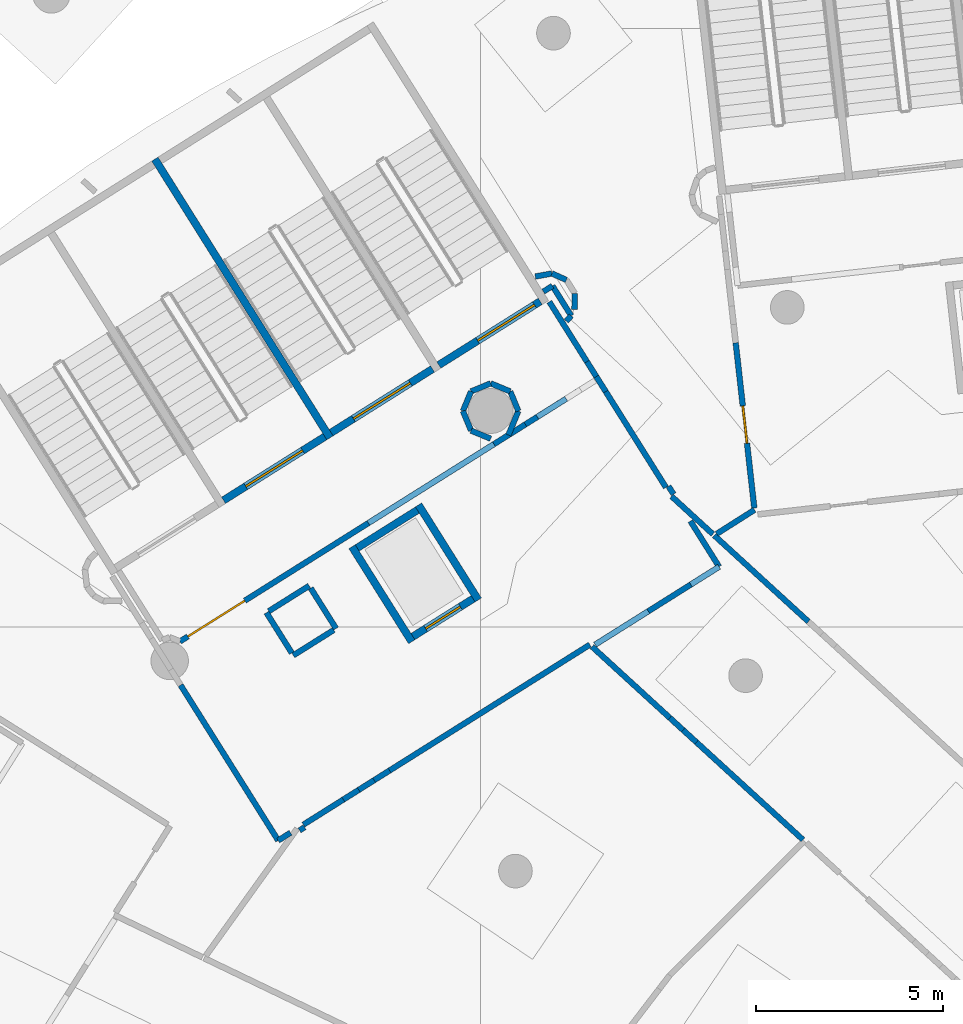
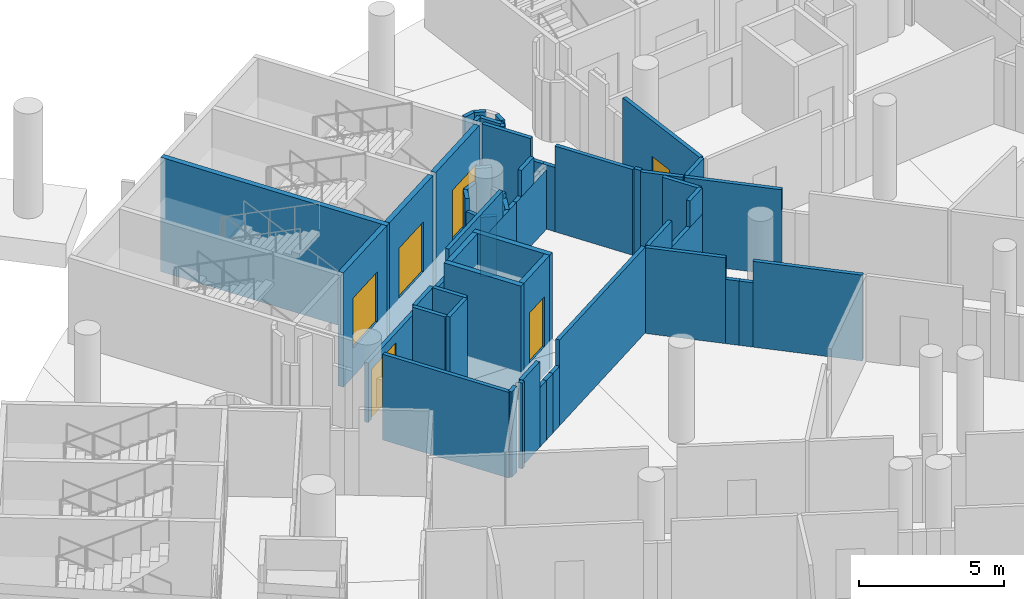
# One storey, part 76 of 142: 54 walls, 6 doors, 6 openings.
"""IFC4 building model written with IfcOpenShell, lengths in metres."""

from ifc_helpers import new_model, si_unit, direction, frame, frame_2d, origin, place, context, subcontext, project, spatial, rectangle, extrude, material, layer, layer_set, type_object, element, fill, save


model = new_model("IFC4")

# Units and contexts
model_context = context("Model", 3, precision=1e-05, world=origin(), true_north=direction((0.0, 1.0)))
body_context = subcontext(model_context, "Body", "Model", "MODEL_VIEW")
ifc_project = project(units=[si_unit("LENGTHUNIT", "METRE"), si_unit("AREAUNIT", "SQUARE_METRE"), si_unit("VOLUMEUNIT", "CUBIC_METRE"), si_unit("PLANEANGLEUNIT", "RADIAN"), si_unit("MASSUNIT", "GRAM", prefix="KILO")], contexts=[model_context])

# Site, building, storey
site_placement = place(None, origin())
site = spatial("IfcSite", under=ifc_project, at=site_placement, CompositionType="ELEMENT")
building_placement = place(site_placement, origin())
building = spatial("IfcBuilding", under=site, at=building_placement, Name="Meseta Stadium", CompositionType="ELEMENT")
storey_placement = place(building_placement, frame((0.0, 0.0, -4.0)))
storey = spatial("IfcBuildingStorey", under=building, at=storey_placement, Name="B1", CompositionType="ELEMENT", Elevation=-4.0)

# Wall
ifc_material_1 = material(Name="Concrete C40/50", Category="concrete")
ifc_layer_1 = layer(ifc_material_1, 0.199951171875)
ifc_layer_set_1 = layer_set([ifc_layer_1], Name="Core shaft wall 200")
wall_type_1 = type_object("IfcWallType", Name="Core shaft wall 200", PredefinedType="SHEAR", material=ifc_layer_set_1)
wall_1_placement = place(storey_placement, frame((-72.7080078125, 92.505615234375, -1.199951171875), z_axis=(0.0, 0.0, 1.0), x_axis=(0.532032334759, -0.846724036963, 0.0)))
element("IfcWall", 1, at=wall_1_placement, inside=storey, type_object=wall_type_1, Name="Core 13 B1 stair wall shared", PredefinedType="SHEAR", context=body_context, shape_type="SweptSolid", body=[
    extrude(rectangle(XDim=8.800048828125, YDim=0.199951171875, at=frame_2d((4.39990234375, 0.0))), origin(), (0.0, 0.0, 1.0), 4.800048828125),
])

# Wall, opening, door
wall_2_placement = place(storey_placement, frame((-62.40625, 88.70361328125, -1.199951171875), z_axis=(0.0, 0.0, 1.0), x_axis=(-0.846735733015, -0.532013720158, 0.0)))
wall_2 = element("IfcWall", 2, at=wall_2_placement, inside=storey, type_object=wall_type_1, Name="Core 13 B1 stair A1 inner end wall", PredefinedType="SHEAR", context=body_context, shape_type="SweptSolid", body=[
    extrude(rectangle(XDim=3.199951171875, YDim=0.199951171875, at=frame_2d((1.60009765625, 0.0))), origin(), (0.0, 0.0, 1.0), 4.800048828125),
])
opening_1_placement = place(wall_2_placement, frame((0.177978515625, 0.0, 1.199951171875)))
opening_1 = element("IfcOpeningElement", 3, at=opening_1_placement, cuts=wall_2, Name="Opening D175", PredefinedType="OPENING", context=body_context, shape_type="SweptSolid", body=[
    extrude(rectangle(XDim=1.800048828125, YDim=2.10009765625, at=frame_2d((0.89990234375, 1.050048828125))), frame((0.0, 0.10986328125, 0.0), z_axis=(0.0, -1.0, 0.0), x_axis=(1.0, 0.0, 0.0)), (0.0, 0.0, 1.0), 0.219970703125),
])
ifc_material_2 = material(Name="Steel", Category="steel")
door_type_1 = type_object("IfcDoorType", Name="Stair door 1800x2100", OperationType="DOUBLE_DOOR_SINGLE_SWING", PredefinedType="DOOR", material=ifc_material_2)
door_1_placement = place(opening_1_placement, origin())
door_1 = element("IfcDoor", 4, at=door_1_placement, inside=storey, type_object=door_type_1, Name="Stair A1 door 13 B1", OperationType="DOUBLE_DOOR_SINGLE_SWING", OverallHeight=2.10009765625, OverallWidth=1.800048828125, PredefinedType="DOOR", context=body_context, shape_type="SweptSolid", body=[
    extrude(rectangle(XDim=1.800048828125, YDim=2.10009765625, at=frame_2d((0.89990234375, 1.050048828125))), frame((0.0, 0.02490234375, 0.0), z_axis=(0.0, -1.0, 0.0), x_axis=(1.0, 0.0, 0.0)), (0.0, 0.0, 1.0), 0.050048828125),
])
fill(opening_1, door_1)

wall_3_placement = place(storey_placement, frame((-65.28515625, 86.894775390625, -1.199951171875), z_axis=(0.0, 0.0, 1.0), x_axis=(-0.846735733015, -0.532013720158, 0.0)))
wall_3 = element("IfcWall", 5, at=wall_3_placement, inside=storey, type_object=wall_type_1, Name="Core 13 B1 stair A2 inner end wall", PredefinedType="SHEAR", context=body_context, shape_type="SweptSolid", body=[
    extrude(rectangle(XDim=3.199951171875, YDim=0.199951171875, at=frame_2d((1.60009765625, 0.0))), origin(), (0.0, 0.0, 1.0), 4.800048828125),
])
opening_2_placement = place(wall_3_placement, frame((0.699951171875, 0.0, 1.199951171875)))
opening_2 = element("IfcOpeningElement", 6, at=opening_2_placement, cuts=wall_3, Name="Opening D176", PredefinedType="OPENING", context=body_context, shape_type="SweptSolid", body=[
    extrude(rectangle(XDim=1.800048828125, YDim=2.10009765625, at=frame_2d((0.89990234375, 1.050048828125))), frame((0.0, 0.10986328125, 0.0), z_axis=(0.0, -1.0, 0.0), x_axis=(1.0, 0.0, 0.0)), (0.0, 0.0, 1.0), 0.219970703125),
])
door_2_placement = place(opening_2_placement, origin())
door_2 = element("IfcDoor", 7, at=door_2_placement, inside=storey, type_object=door_type_1, Name="Stair A2 door 13 B1", OperationType="DOUBLE_DOOR_SINGLE_SWING", OverallHeight=2.10009765625, OverallWidth=1.800048828125, PredefinedType="DOOR", context=body_context, shape_type="SweptSolid", body=[
    extrude(rectangle(XDim=1.800048828125, YDim=2.10009765625, at=frame_2d((0.89990234375, 1.050048828125))), frame((0.0, 0.02490234375, 0.0), z_axis=(0.0, -1.0, 0.0), x_axis=(1.0, 0.0, 0.0)), (0.0, 0.0, 1.0), 0.050048828125),
])
fill(opening_2, door_2)

wall_4_placement = place(storey_placement, frame((-68.1640625, 85.0859375, -1.199951171875), z_axis=(0.0, 0.0, 1.0), x_axis=(-0.84670136309, -0.53206841829, 0.0)))
wall_4 = element("IfcWall", 8, at=wall_4_placement, inside=storey, type_object=wall_type_1, Name="Core 13 B1 stair B1 inner end wall", PredefinedType="SHEAR", context=body_context, shape_type="SweptSolid", body=[
    extrude(rectangle(XDim=3.199951171875, YDim=0.199951171875, at=frame_2d((1.60009765625, 0.0))), origin(), (0.0, 0.0, 1.0), 4.800048828125),
])
opening_3_placement = place(wall_4_placement, frame((0.699951171875, 0.0, 1.199951171875)))
opening_3 = element("IfcOpeningElement", 9, at=opening_3_placement, cuts=wall_4, Name="Opening D177", PredefinedType="OPENING", context=body_context, shape_type="SweptSolid", body=[
    extrude(rectangle(XDim=1.800048828125, YDim=2.10009765625, at=frame_2d((0.89990234375, 1.050048828125))), frame((0.0, 0.10986328125, 0.0), z_axis=(0.0, -1.0, 0.0), x_axis=(1.0, 0.0, 0.0)), (0.0, 0.0, 1.0), 0.219970703125),
])
door_3_placement = place(opening_3_placement, origin())
door_3 = element("IfcDoor", 10, at=door_3_placement, inside=storey, type_object=door_type_1, Name="Stair B1 door 13 B1", OperationType="DOUBLE_DOOR_SINGLE_SWING", OverallHeight=2.10009765625, OverallWidth=1.800048828125, PredefinedType="DOOR", context=body_context, shape_type="SweptSolid", body=[
    extrude(rectangle(XDim=1.800048828125, YDim=2.10009765625, at=frame_2d((0.89990234375, 1.050048828125))), frame((0.0, 0.02490234375, 0.0), z_axis=(0.0, -1.0, 0.0), x_axis=(1.0, 0.0, 0.0)), (0.0, 0.0, 1.0), 0.050048828125),
])
fill(opening_3, door_3)

# Walls
wall_5_placement = place(storey_placement, frame((-65.658935546875, 83.260498046875, -1.199951171875), z_axis=(0.0, 0.0, 1.0), x_axis=(0.532074873955, -0.846697306306, 0.0)))
element("IfcWall", 11, at=wall_5_placement, inside=storey, type_object=wall_type_1, Name="Core 13 B1 lift shaft wall left", PredefinedType="SHEAR", context=body_context, shape_type="SweptSolid", body=[
    extrude(rectangle(XDim=3.0, YDim=0.199951171875, at=frame_2d((1.5, 0.0))), origin(), (0.0, 0.0, 1.0), 4.800048828125),
])
wall_6_placement = place(storey_placement, frame((-67.43701171875, 82.143310546875, -1.199951171875), z_axis=(0.0, 0.0, 1.0), x_axis=(0.532038212918, -0.84672034344, 0.0)))
element("IfcWall", 12, at=wall_6_placement, inside=storey, type_object=wall_type_1, Name="Core 13 B1 lift shaft wall right", PredefinedType="SHEAR", context=body_context, shape_type="SweptSolid", body=[
    extrude(rectangle(XDim=3.000244140625, YDim=0.199951171875, at=frame_2d((1.5, 0.0))), origin(), (0.0, 0.0, 1.0), 4.800048828125),
])
wall_7_placement = place(storey_placement, frame((-65.6904296875, 83.122802734375, -1.199951171875), z_axis=(0.0, 0.0, 1.0), x_axis=(-0.846674592738, -0.532111016623, 0.0)))
element("IfcWall", 13, at=wall_7_placement, inside=storey, type_object=wall_type_1, Name="Core 13 B1 lift shaft back wall", PredefinedType="SHEAR", context=body_context, shape_type="SweptSolid", body=[
    extrude(rectangle(XDim=1.89990234375, YDim=0.199951171875, at=frame_2d((0.949951171875, 0.0))), origin(), (0.0, 0.0, 1.0), 4.800048828125),
])

# Wall, opening, door
wall_8_placement = place(storey_placement, frame((-64.20068359375, 80.751708984375, -1.199951171875), z_axis=(0.0, 0.0, 1.0), x_axis=(-0.846768850524, -0.531961007765, 0.0)))
wall_8 = element("IfcWall", 14, at=wall_8_placement, inside=storey, type_object=wall_type_1, Name="Core 13 B1 lift shaft front wall", PredefinedType="SHEAR", context=body_context, shape_type="SweptSolid", body=[
    extrude(rectangle(XDim=1.900146484375, YDim=0.199951171875, at=frame_2d((0.9501953125, 0.0))), origin(), (0.0, 0.0, 1.0), 4.800048828125),
])
opening_4_placement = place(wall_8_placement, frame((0.39990234375, 0.0, 1.199951171875)))
opening_4 = element("IfcOpeningElement", 15, at=opening_4_placement, cuts=wall_8, Name="Opening LD68", PredefinedType="OPENING", context=body_context, shape_type="SweptSolid", body=[
    extrude(rectangle(XDim=1.10009765625, YDim=2.10009765625, at=frame_2d((0.550048828125, 1.050048828125))), frame((0.0, 0.10986328125, 0.0), z_axis=(0.0, -1.0, 0.0), x_axis=(1.0, 0.0, 0.0)), (0.0, 0.0, 1.0), 0.219970703125),
])
ifc_material_3 = material(Name="Steel", Category="steel")
door_type_2 = type_object("IfcDoorType", Name="Lift landing door 1100x2100", OperationType="SLIDING_TO_LEFT", PredefinedType="DOOR", material=ifc_material_3)
door_4_placement = place(opening_4_placement, origin())
door_4 = element("IfcDoor", 16, at=door_4_placement, inside=storey, type_object=door_type_2, Name="Lift landing door LD68", OperationType="SLIDING_TO_RIGHT", OverallHeight=2.10009765625, OverallWidth=1.10009765625, PredefinedType="DOOR", context=body_context, shape_type="SweptSolid", body=[
    extrude(rectangle(XDim=1.10009765625, YDim=2.10009765625, at=frame_2d((0.550048828125, 1.050048828125))), frame((0.0, 0.02490234375, 0.0), z_axis=(0.0, -1.0, 0.0), x_axis=(1.0, 0.0, 0.0)), (0.0, 0.0, 1.0), 0.050048828125),
])
fill(opening_4, door_4)

# Walls
ifc_material_4 = material(Name="Masonry blockwork", Category="masonry")
ifc_layer_2 = layer(ifc_material_4, 0.14990234375)
ifc_layer_set_2 = layer_set([ifc_layer_2], Name="Partition 150")
wall_type_2 = type_object("IfcWallType", Name="Partition 150", PredefinedType="PARTITIONING", material=ifc_layer_set_2)
wall_9_placement = place(storey_placement, frame((-55.23583984375, 80.14111328125, 0.0), z_axis=(0.0, 0.0, 1.0), x_axis=(-0.737605282211, 0.675232143529, 0.0)))
element("IfcWall", 17, at=wall_9_placement, inside=storey, type_object=wall_type_2, Name="Partition B1 B1-cell11-2-0", PredefinedType="PARTITIONING", context=body_context, shape_type="SweptSolid", body=[
    extrude(rectangle(XDim=3.4130859375, YDim=0.14990234375, at=frame_2d((1.70654296875, 0.0))), origin(), (0.0, 0.0, 1.0), 3.60009765625),
])
wall_10_placement = place(storey_placement, frame((-57.687744140625, 82.4873046875, 0.0), z_axis=(0.0, 0.0, 1.0), x_axis=(0.844198175742, 0.536031193192, 0.0)))
element("IfcWall", 18, at=wall_10_placement, inside=storey, type_object=wall_type_2, Name="Partition B1 B1-cell11-2-0", PredefinedType="PARTITIONING", context=body_context, shape_type="SweptSolid", body=[
    extrude(rectangle(XDim=1.19775390625, YDim=0.14990234375, at=frame_2d((0.598876953125, 0.0))), origin(), (0.0, 0.0, 1.0), 3.60009765625),
])
wall_11_placement = place(storey_placement, frame((-57.790283203125, 82.4794921875, 0.0), z_axis=(0.0, 0.0, 1.0), x_axis=(-0.737580634044, 0.675259067531, 0.0)))
element("IfcWall", 19, at=wall_11_placement, inside=storey, type_object=wall_type_2, Name="Partition B1 B1-cell11-3-0", PredefinedType="PARTITIONING", context=body_context, shape_type="SweptSolid", body=[
    extrude(rectangle(XDim=1.496337890625, YDim=0.14990234375, at=frame_2d((0.748046875, 0.0))), origin(), (0.0, 0.0, 1.0), 3.60009765625),
])
wall_12_placement = place(storey_placement, frame((-59.04443359375, 83.7294921875, 0.0), z_axis=(0.0, 0.0, 1.0), x_axis=(-0.532093859438, 0.846685375301, 0.0)))
element("IfcWall", 20, at=wall_12_placement, inside=storey, type_object=wall_type_2, Name="Partition B1 B1-cell11-3-0", PredefinedType="PARTITIONING", context=body_context, shape_type="SweptSolid", body=[
    extrude(rectangle(XDim=3.025146484375, YDim=0.14990234375, at=frame_2d((1.5126953125, 0.0))), origin(), (0.0, 0.0, 1.0), 3.60009765625),
])
wall_13_placement = place(storey_placement, frame((-60.654052734375, 86.290771484375, 0.0), z_axis=(0.0, 0.0, 1.0), x_axis=(-0.532086905354, 0.84668974551, 0.0)))
element("IfcWall", 21, at=wall_13_placement, inside=storey, type_object=wall_type_2, Name="Partition B1 B1-cell11-3-0", PredefinedType="PARTITIONING", context=body_context, shape_type="SweptSolid", body=[
    extrude(rectangle(XDim=0.47265625, YDim=0.14990234375, at=frame_2d((0.236328125, 0.0))), origin(), (0.0, 0.0, 1.0), 2.699951171875),
])
wall_14_placement = place(storey_placement, frame((-60.905517578125, 86.69091796875, 0.0), z_axis=(0.0, 0.0, 1.0), x_axis=(-0.531716418335, 0.846922458359, 0.0)))
element("IfcWall", 22, at=wall_14_placement, inside=storey, type_object=wall_type_2, Name="Partition B1 B1-cell11-3-0", PredefinedType="PARTITIONING", context=body_context, shape_type="SweptSolid", body=[
    extrude(rectangle(XDim=0.472412109375, YDim=0.14990234375, at=frame_2d((0.236328125, 0.0))), origin(), (0.0, 0.0, 1.0), 2.699951171875),
])
wall_15_placement = place(storey_placement, frame((-61.15673828125, 87.091064453125, 0.0), z_axis=(0.0, 0.0, 1.0), x_axis=(-0.532052497691, 0.84671136741, 0.0)))
element("IfcWall", 23, at=wall_15_placement, inside=storey, type_object=wall_type_2, Name="Partition B1 B1-cell11-3-0", PredefinedType="PARTITIONING", context=body_context, shape_type="SweptSolid", body=[
    extrude(rectangle(XDim=1.89013671875, YDim=0.14990234375, at=frame_2d((0.945068359375, 0.0))), origin(), (0.0, 0.0, 1.0), 3.60009765625),
])

# Wall, opening, door
wall_16_placement = place(storey_placement, frame((-57.1796875, 87.5947265625, 0.0), z_axis=(0.0, 0.0, 1.0), x_axis=(0.112023313707, -0.993705578723, 0.0)))
wall_16 = element("IfcWall", 24, at=wall_16_placement, inside=storey, type_object=wall_type_2, Name="Partition B1 B1-cell11-3-0", PredefinedType="PARTITIONING", context=body_context, shape_type="SweptSolid", body=[
    extrude(rectangle(XDim=4.44384765625, YDim=0.14990234375, at=frame_2d((2.221923828125, 0.0))), origin(), (0.0, 0.0, 1.0), 3.60009765625),
])
opening_5_placement = place(wall_16_placement, frame((1.699951171875, 0.0, 0.0)))
opening_5 = element("IfcOpeningElement", 25, at=opening_5_placement, cuts=wall_16, Name="Opening D466", PredefinedType="OPENING", context=body_context, shape_type="SweptSolid", body=[
    extrude(rectangle(XDim=1.0, YDim=2.10009765625, at=frame_2d((0.5, 1.050048828125))), frame((0.0, 0.0849609375, 0.0), z_axis=(0.0, -1.0, 0.0), x_axis=(1.0, 0.0, 0.0)), (0.0, 0.0, 1.0), 0.169921875),
])
ifc_material_5 = material(Name="Steel", Category="steel")
door_type_3 = type_object("IfcDoorType", Name="Fire door 1000x2100 EI2 60", OperationType="NOTDEFINED", PredefinedType="DOOR", material=ifc_material_5)
door_5_placement = place(opening_5_placement, origin())
door_5 = element("IfcDoor", 26, at=door_5_placement, inside=storey, type_object=door_type_3, Name="Door D466", OperationType="SINGLE_SWING_RIGHT", OverallHeight=2.10009765625, OverallWidth=1.0, PredefinedType="DOOR", context=body_context, shape_type="SweptSolid", body=[
    extrude(rectangle(XDim=1.0, YDim=2.10009765625, at=frame_2d((0.5, 1.050048828125))), frame((0.0, 0.02490234375, 0.0), z_axis=(0.0, -1.0, 0.0), x_axis=(1.0, 0.0, 0.0)), (0.0, 0.0, 1.0), 0.050048828125),
])
fill(opening_5, door_5)

# Walls
wall_17_placement = place(storey_placement, frame((-68.737060546875, 74.712646484375, 0.0), z_axis=(0.0, 0.0, 1.0), x_axis=(0.846733767691, 0.53201684809, 0.0)))
element("IfcWall", 27, at=wall_17_placement, inside=storey, type_object=wall_type_2, Name="Partition B1 B1-cell12-2-0", PredefinedType="PARTITIONING", context=body_context, shape_type="SweptSolid", body=[
    extrude(rectangle(XDim=1.260498046875, YDim=0.14990234375, at=frame_2d((0.63037109375, 0.0))), origin(), (0.0, 0.0, 1.0), 3.60009765625),
])
for number, where, z_axis, x_axis, name in (
    (28, (-67.669677734375, 75.38330078125, 0.0), (0.0, 0.0, 1.0), (0.846868970519, 0.53180160471, 0.0), "Partition B1 B1-cell12-2-0"),
    (29, (-67.257568359375, 75.64208984375, 0.0), (0.0, 0.0, 1.0), (0.846500874068, 0.532387330993, 0.0), "Partition B1 B1-cell12-2-0"),
):
    element("IfcWall", number, at=place(storey_placement, frame(where, z_axis=z_axis, x_axis=x_axis)), inside=storey, type_object=wall_type_2, Name=name, PredefinedType="PARTITIONING", context=body_context, shape_type="SweptSolid", body=[
        extrude(rectangle(XDim=0.486572265625, YDim=0.14990234375, at=frame_2d((0.2431640625, 0.0))), origin(), (0.0, 0.0, 1.0), 2.5),
    ])
wall_18_placement = place(storey_placement, frame((-66.845703125, 75.901123046875, 0.0), z_axis=(0.0, 0.0, 1.0), x_axis=(0.846726992897, 0.532027630392, 0.0)))
element("IfcWall", 30, at=wall_18_placement, inside=storey, type_object=wall_type_2, Name="Partition B1 B1-cell12-2-0", PredefinedType="PARTITIONING", context=body_context, shape_type="SweptSolid", body=[
    extrude(rectangle(XDim=0.486328125, YDim=0.14990234375, at=frame_2d((0.2431640625, 0.0))), origin(), (0.0, 0.0, 1.0), 2.5),
])
wall_19_placement = place(storey_placement, frame((-66.433837890625, 76.159912109375, 0.0), z_axis=(0.0, 0.0, 1.0), x_axis=(0.846724993081, 0.532030813105, 0.0)))
element("IfcWall", 31, at=wall_19_placement, inside=storey, type_object=wall_type_2, Name="Partition B1 B1-cell12-2-0", PredefinedType="PARTITIONING", context=body_context, shape_type="SweptSolid", body=[
    extrude(rectangle(XDim=6.324462890625, YDim=0.14990234375, at=frame_2d((3.162109375, 0.0))), origin(), (0.0, 0.0, 1.0), 3.60009765625),
])
wall_20_placement = place(storey_placement, frame((-61.021484375, 79.47216796875, 0.0), z_axis=(0.0, 0.0, 1.0), x_axis=(0.737642932996, -0.67519101253, 0.0)))
element("IfcWall", 32, at=wall_20_placement, inside=storey, type_object=wall_type_2, Name="Partition B1 B1-cell12-2-0", PredefinedType="PARTITIONING", context=body_context, shape_type="SweptSolid", body=[
    extrude(rectangle(XDim=2.818603515625, YDim=0.14990234375, at=frame_2d((1.4091796875, 0.0))), origin(), (0.0, 0.0, 1.0), 3.60009765625),
])
wall_21_placement = place(storey_placement, frame((-58.9423828125, 77.569091796875, 0.0), z_axis=(0.0, 0.0, 1.0), x_axis=(0.737531982112, -0.675312205844, 0.0)))
element("IfcWall", 33, at=wall_21_placement, inside=storey, type_object=wall_type_2, Name="Partition B1 B1-cell12-2-0", PredefinedType="PARTITIONING", context=body_context, shape_type="SweptSolid", body=[
    extrude(rectangle(XDim=0.482666015625, YDim=0.14990234375, at=frame_2d((0.2412109375, 0.0))), origin(), (0.0, 0.0, 1.0), 2.699951171875),
])
wall_22_placement = place(storey_placement, frame((-58.58642578125, 77.2431640625, 0.0), z_axis=(0.0, 0.0, 1.0), x_axis=(0.737762545062, -0.675060313679, 0.0)))
element("IfcWall", 34, at=wall_22_placement, inside=storey, type_object=wall_type_2, Name="Partition B1 B1-cell12-2-0", PredefinedType="PARTITIONING", context=body_context, shape_type="SweptSolid", body=[
    extrude(rectangle(XDim=0.48291015625, YDim=0.14990234375, at=frame_2d((0.241455078125, 0.0))), origin(), (0.0, 0.0, 1.0), 2.699951171875),
])
wall_23_placement = place(storey_placement, frame((-58.230224609375, 76.917236328125, 0.0), z_axis=(0.0, 0.0, 1.0), x_axis=(0.737586985775, -0.675252129516, 0.0)))
element("IfcWall", 35, at=wall_23_placement, inside=storey, type_object=wall_type_2, Name="Partition B1 B1-cell12-2-0", PredefinedType="PARTITIONING", context=body_context, shape_type="SweptSolid", body=[
    extrude(rectangle(XDim=3.86181640625, YDim=0.14990234375, at=frame_2d((1.930908203125, 0.0))), origin(), (0.0, 0.0, 1.0), 3.60009765625),
])
wall_24_placement = place(storey_placement, frame((-72.0205078125, 78.4423828125, 0.0), z_axis=(0.0, 0.0, 1.0), x_axis=(0.532042078101, -0.846717914733, 0.0)))
element("IfcWall", 36, at=wall_24_placement, inside=storey, type_object=wall_type_2, Name="Partition B1 B1-cell12-3-0", PredefinedType="PARTITIONING", context=body_context, shape_type="SweptSolid", body=[
    extrude(rectangle(XDim=4.905029296875, YDim=0.14990234375, at=frame_2d((2.45263671875, 0.0))), origin(), (0.0, 0.0, 1.0), 3.60009765625),
])
wall_25_placement = place(storey_placement, frame((-69.410888671875, 74.289306640625, 0.0), z_axis=(0.0, 0.0, 1.0), x_axis=(0.84669301854, 0.532081697069, 0.0)))
element("IfcWall", 37, at=wall_25_placement, inside=storey, type_object=wall_type_2, Name="Partition B1 B1-cell12-3-0", PredefinedType="PARTITIONING", context=body_context, shape_type="SweptSolid", body=[
    extrude(rectangle(XDim=0.3896484375, YDim=0.14990234375, at=frame_2d((0.19482421875, 0.0))), origin(), (0.0, 0.0, 1.0), 3.60009765625),
])
for number, where, z_axis, x_axis, name in (
    (38, (-68.58203125, 81.09912109375, 0.0), (0.0, 0.0, 1.0), (-0.846683377265, -0.532097038765, 0.0), "Pressurisation shaft wall B1 core 13"),
    (39, (-69.72509765625, 80.380859375, 0.0), (0.0, 0.0, 1.0), (0.532097038765, -0.846683377265, 0.0), "Pressurisation shaft wall B1 core 13"),
):
    element("IfcWall", number, at=place(storey_placement, frame(where, z_axis=z_axis, x_axis=x_axis)), inside=storey, type_object=wall_type_2, Name=name, PredefinedType="PARTITIONING", context=body_context, shape_type="SweptSolid", body=[
        extrude(rectangle(XDim=1.275146484375, YDim=0.14990234375, at=frame_2d((0.6376953125, 0.0))), origin(), (0.0, 0.0, 1.0), 3.60009765625),
    ])
for number, where, z_axis, x_axis, name in (
    (40, (-69.0068359375, 79.23779296875, 0.0), (0.0, 0.0, 1.0), (0.846769635862, 0.531959757672, 0.0), "Pressurisation shaft wall B1 core 13"),
    (41, (-67.86376953125, 79.9560546875, 0.0), (0.0, 0.0, 1.0), (-0.531959757672, 0.846769635862, 0.0), "Pressurisation shaft wall B1 core 13"),
):
    element("IfcWall", number, at=place(storey_placement, frame(where, z_axis=z_axis, x_axis=x_axis)), inside=storey, type_object=wall_type_2, Name=name, PredefinedType="PARTITIONING", context=body_context, shape_type="SweptSolid", body=[
        extrude(rectangle(XDim=1.27490234375, YDim=0.14990234375, at=frame_2d((0.637451171875, 0.0))), origin(), (0.0, 0.0, 1.0), 3.60009765625),
    ])

# Wall, opening, door
wall_26_placement = place(storey_placement, frame((-72.03857421875, 79.610107421875, 0.0), z_axis=(0.0, 0.0, 1.0), x_axis=(0.846722109963, 0.532035401547, 0.0)))
wall_26 = element("IfcWall", 42, at=wall_26_placement, inside=storey, type_object=wall_type_2, Name="Stair vestibule wall B1 core 13", PredefinedType="PARTITIONING", context=body_context, shape_type="SweptSolid", body=[
    extrude(rectangle(XDim=10.907958984375, YDim=0.14990234375, at=frame_2d((5.4541015625, 0.0))), origin(), (0.0, 0.0, 1.0), 2.5),
])
opening_6_placement = place(wall_26_placement, frame((0.25, 0.0, 0.0)))
opening_6 = element("IfcOpeningElement", 43, at=opening_6_placement, cuts=wall_26, Name="Opening D727", PredefinedType="OPENING", context=body_context, shape_type="SweptSolid", body=[
    extrude(rectangle(XDim=1.800048828125, YDim=2.10009765625, at=frame_2d((0.89990234375, 1.050048828125))), frame((0.0, 0.0849609375, 0.0), z_axis=(0.0, -1.0, 0.0), x_axis=(1.0, 0.0, 0.0)), (0.0, 0.0, 1.0), 0.169921875),
])
ifc_material_6 = material(Name="Steel", Category="steel")
door_type_4 = type_object("IfcDoorType", Name="Fire double door 1800x2100 EI2 60", OperationType="DOUBLE_DOOR_SINGLE_SWING", PredefinedType="DOOR", material=ifc_material_6)
door_6_placement = place(opening_6_placement, origin())
door_6 = element("IfcDoor", 44, at=door_6_placement, inside=storey, type_object=door_type_4, Name="Stair vestibule door B1 core 13", OperationType="DOUBLE_DOOR_SINGLE_SWING", OverallHeight=2.10009765625, OverallWidth=1.800048828125, PredefinedType="DOOR", context=body_context, shape_type="SweptSolid", body=[
    extrude(rectangle(XDim=1.800048828125, YDim=2.10009765625, at=frame_2d((0.89990234375, 1.050048828125))), frame((0.0, 0.02490234375, 0.0), z_axis=(0.0, -1.0, 0.0), x_axis=(1.0, 0.0, 0.0)), (0.0, 0.0, 1.0), 0.050048828125),
])
fill(opening_6, door_6)

# Walls
wall_27_placement = place(storey_placement, frame((-67.000732421875, 82.775634765625, 2.5), z_axis=(0.0, 0.0, 1.0), x_axis=(0.846726861413, 0.532027839649, 0.0)))
element("IfcWall", 45, at=wall_27_placement, inside=storey, type_object=wall_type_2, Name="Stair vestibule wall B1 core 13", PredefinedType="PARTITIONING", context=body_context, shape_type="SweptSolid", body=[
    extrude(rectangle(XDim=3.966552734375, YDim=0.14990234375, at=frame_2d((1.9833984375, 0.0))), origin(), (0.0, 0.0, 1.0), 1.10009765625),
])
for number, where, z_axis, x_axis, name in (
    (46, (-63.7314453125, 85.030517578125, 0.0), (0.0, 0.0, 1.0), (-0.923738395549, 0.383023989572, 0.0), "Stair vestibule wall B1 core 13"),
    (47, (-64.2548828125, 85.24755859375, 0.0), (0.0, 0.0, 1.0), (-0.382656259044, 0.923890787601, 0.0), "Stair vestibule wall B1 core 13"),
):
    element("IfcWall", number, at=place(storey_placement, frame(where, z_axis=z_axis, x_axis=x_axis)), inside=storey, type_object=wall_type_2, Name=name, PredefinedType="PARTITIONING", context=body_context, shape_type="SweptSolid", body=[
        extrude(rectangle(XDim=0.566650390625, YDim=0.14990234375, at=frame_2d((0.283203125, 0.0))), origin(), (0.0, 0.0, 1.0), 2.5),
    ])
wall_28_placement = place(storey_placement, frame((-64.4716796875, 85.77099609375, 0.0), z_axis=(0.0, 0.0, 1.0), x_axis=(0.382871604923, 0.923801566433, 0.0)))
element("IfcWall", 48, at=wall_28_placement, inside=storey, type_object=wall_type_2, Name="Stair vestibule wall B1 core 13", PredefinedType="PARTITIONING", context=body_context, shape_type="SweptSolid", body=[
    extrude(rectangle(XDim=0.56689453125, YDim=0.14990234375, at=frame_2d((0.283447265625, 0.0))), origin(), (0.0, 0.0, 1.0), 3.0),
])
wall_29_placement = place(storey_placement, frame((-64.254638671875, 86.294677734375, 0.0), z_axis=(0.0, 0.0, 1.0), x_axis=(0.923890787601, 0.382656259044, 0.0)))
element("IfcWall", 49, at=wall_29_placement, inside=storey, type_object=wall_type_2, Name="Stair vestibule wall B1 core 13", PredefinedType="PARTITIONING", context=body_context, shape_type="SweptSolid", body=[
    extrude(rectangle(XDim=0.566650390625, YDim=0.14990234375, at=frame_2d((0.283203125, 0.0))), origin(), (0.0, 0.0, 1.0), 3.0),
])
wall_30_placement = place(storey_placement, frame((-63.731201171875, 86.511474609375, 0.0), z_axis=(0.0, 0.0, 1.0), x_axis=(0.923953847635, -0.38250397049, 0.0)))
element("IfcWall", 50, at=wall_30_placement, inside=storey, type_object=wall_type_2, Name="Stair vestibule wall B1 core 13", PredefinedType="PARTITIONING", context=body_context, shape_type="SweptSolid", body=[
    extrude(rectangle(XDim=0.56689453125, YDim=0.14990234375, at=frame_2d((0.283447265625, 0.0))), origin(), (0.0, 0.0, 1.0), 3.60009765625),
])
wall_31_placement = place(storey_placement, frame((-63.20751953125, 86.294677734375, 0.0), z_axis=(0.0, 0.0, 1.0), x_axis=(0.38250397049, -0.923953847635, 0.0)))
element("IfcWall", 51, at=wall_31_placement, inside=storey, type_object=wall_type_2, Name="Stair vestibule wall B1 core 13", PredefinedType="PARTITIONING", context=body_context, shape_type="SweptSolid", body=[
    extrude(rectangle(XDim=0.56689453125, YDim=0.14990234375, at=frame_2d((0.283447265625, 0.0))), origin(), (0.0, 0.0, 1.0), 2.699951171875),
])
wall_32_placement = place(storey_placement, frame((-62.99072265625, 85.77099609375, 0.0), z_axis=(0.0, 0.0, 1.0), x_axis=(-0.3824964288, -0.923956969753, 0.0)))
element("IfcWall", 52, at=wall_32_placement, inside=storey, type_object=wall_type_2, Name="Stair vestibule wall B1 core 13", PredefinedType="PARTITIONING", context=body_context, shape_type="SweptSolid", body=[
    extrude(rectangle(XDim=0.69580078125, YDim=0.14990234375, at=frame_2d((0.347900390625, 0.0))), origin(), (0.0, 0.0, 1.0), 2.5),
])
wall_33_placement = place(storey_placement, frame((-62.802490234375, 85.41357421875, 0.0), z_axis=(0.0, 0.0, 1.0), x_axis=(0.846680811924, 0.532101120765, 0.0)))
element("IfcWall", 53, at=wall_33_placement, inside=storey, type_object=wall_type_2, Name="Stair vestibule wall B1 core 13", PredefinedType="PARTITIONING", context=body_context, shape_type="SweptSolid", body=[
    extrude(rectangle(XDim=2.200927734375, YDim=0.14990234375, at=frame_2d((1.1005859375, 0.0))), origin(), (0.0, 0.0, 1.0), 2.5),
])
wall_34_placement = place(storey_placement, frame((-62.484130859375, 85.613525390625, 2.5), z_axis=(0.0, 0.0, 1.0), x_axis=(0.846688201329, 0.532089362542, 0.0)))
element("IfcWall", 54, at=wall_34_placement, inside=storey, type_object=wall_type_2, Name="Stair vestibule wall B1 core 13", PredefinedType="PARTITIONING", context=body_context, shape_type="SweptSolid", body=[
    extrude(rectangle(XDim=0.91259765625, YDim=0.14990234375, at=frame_2d((0.456298828125, 0.0))), origin(), (0.0, 0.0, 1.0), 1.10009765625),
])
wall_35_placement = place(storey_placement, frame((-61.70947265625, 88.172119140625, 0.0), z_axis=(0.0, 0.0, 1.0), x_axis=(0.6683490796, 0.743847771925, 0.0)))
element("IfcWall", 55, at=wall_35_placement, inside=storey, type_object=wall_type_2, Name="Stair vestibule wall B1 core 13", PredefinedType="PARTITIONING", context=body_context, shape_type="SweptSolid", body=[
    extrude(rectangle(XDim=0.197265625, YDim=0.14990234375, at=frame_2d((0.0986328125, 0.0))), origin(), (0.0, 0.0, 1.0), 3.60009765625),
])
wall_36_placement = place(storey_placement, frame((-61.57763671875, 88.31884765625, 0.0), z_axis=(0.0, 0.0, 1.0), x_axis=(-0.532001627387, 0.84674333092, 0.0)))
element("IfcWall", 56, at=wall_36_placement, inside=storey, type_object=wall_type_2, Name="Stair vestibule wall B1 core 13", PredefinedType="PARTITIONING", context=body_context, shape_type="SweptSolid", body=[
    extrude(rectangle(XDim=0.941650390625, YDim=0.14990234375, at=frame_2d((0.470703125, 0.0))), origin(), (0.0, 0.0, 1.0), 3.60009765625),
])
wall_37_placement = place(storey_placement, frame((-62.07861328125, 89.1162109375, 0.0), z_axis=(0.0, 0.0, 1.0), x_axis=(-0.846800843848, -0.531910077794, 0.0)))
element("IfcWall", 57, at=wall_37_placement, inside=storey, type_object=wall_type_2, Name="Stair vestibule wall B1 core 13", PredefinedType="PARTITIONING", context=body_context, shape_type="SweptSolid", body=[
    extrude(rectangle(XDim=0.286865234375, YDim=0.14990234375, at=frame_2d((0.1435546875, 0.0))), origin(), (0.0, 0.0, 1.0), 3.60009765625),
])
wall_38_placement = place(storey_placement, frame((-68.840576171875, 74.55908203125, 0.0), z_axis=(0.0, 0.0, 1.0), x_axis=(0.846616804934, 0.532202955275, 0.0)))
element("IfcWall", 58, at=wall_38_placement, inside=storey, type_object=wall_type_2, Name="Stair vestibule wall B1 core 13", PredefinedType="PARTITIONING", context=body_context, shape_type="SweptSolid", body=[
    extrude(rectangle(XDim=0.1591796875, YDim=0.14990234375, at=frame_2d((0.07958984375, 0.0))), origin(), (0.0, 0.0, 1.0), 3.60009765625),
])
wall_39_placement = place(storey_placement, frame((-60.937255859375, 79.525146484375, 0.0), z_axis=(0.0, 0.0, 1.0), x_axis=(0.846734487447, 0.532015702558, 0.0)))
element("IfcWall", 59, at=wall_39_placement, inside=storey, type_object=wall_type_2, Name="Stair vestibule wall B1 core 13", PredefinedType="PARTITIONING", context=body_context, shape_type="SweptSolid", body=[
    extrude(rectangle(XDim=3.914306640625, YDim=0.14990234375, at=frame_2d((1.95703125, 0.0))), origin(), (0.0, 0.0, 1.0), 2.5),
])
wall_40_placement = place(storey_placement, frame((-60.937255859375, 79.525146484375, 2.5), z_axis=(0.0, 0.0, 1.0), x_axis=(0.846737633906, 0.532010694749, 0.0)))
element("IfcWall", 60, at=wall_40_placement, inside=storey, type_object=wall_type_2, Name="Stair vestibule wall B1 core 13", PredefinedType="PARTITIONING", context=body_context, shape_type="SweptSolid", body=[
    extrude(rectangle(XDim=1.6787109375, YDim=0.14990234375, at=frame_2d((0.83935546875, 0.0))), origin(), (0.0, 0.0, 1.0), 1.10009765625),
])
wall_41_placement = place(storey_placement, frame((-58.380126953125, 81.1318359375, 2.5), z_axis=(0.0, 0.0, 1.0), x_axis=(0.846738436485, 0.532009417379, 0.0)))
element("IfcWall", 61, at=wall_41_placement, inside=storey, type_object=wall_type_2, Name="Stair vestibule wall B1 core 13", PredefinedType="PARTITIONING", context=body_context, shape_type="SweptSolid", body=[
    extrude(rectangle(XDim=0.894287109375, YDim=0.14990234375, at=frame_2d((0.447265625, 0.0))), origin(), (0.0, 0.0, 1.0), 1.10009765625),
])
wall_42_placement = place(storey_placement, frame((-57.622802734375, 81.607666015625, 0.0), z_axis=(0.0, 0.0, 1.0), x_axis=(-0.532022375577, 0.846730294654, 0.0)))
element("IfcWall", 62, at=wall_42_placement, inside=storey, type_object=wall_type_2, Name="Stair vestibule wall B1 core 13", PredefinedType="PARTITIONING", context=body_context, shape_type="SweptSolid", body=[
    extrude(rectangle(XDim=1.44140625, YDim=0.14990234375, at=frame_2d((0.720703125, 0.0))), origin(), (0.0, 0.0, 1.0), 3.60009765625),
])
wall_43_placement = place(storey_placement, frame((-58.841796875, 83.547607421875, 0.0), z_axis=(0.0, 0.0, 1.0), x_axis=(-0.531218281039, 0.847234995671, 0.0)))
element("IfcWall", 63, at=wall_43_placement, inside=storey, type_object=wall_type_2, Name="Stair vestibule wall B1 core 13", PredefinedType="PARTITIONING", context=body_context, shape_type="SweptSolid", body=[
    extrude(rectangle(XDim=0.251953125, YDim=0.14990234375, at=frame_2d((0.1259765625, 0.0))), origin(), (0.0, 0.0, 1.0), 3.60009765625),
])
wall_44_placement = place(storey_placement, frame((-61.489501953125, 88.490478515625, 0.0), z_axis=(0.0, 0.0, 1.0), x_axis=(0.019436007719, 0.999811102961, 0.0)))
element("IfcWall", 64, at=wall_44_placement, inside=storey, type_object=wall_type_2, Name="Stair vestibule wall B1 core 13", PredefinedType="PARTITIONING", context=body_context, shape_type="SweptSolid", body=[
    extrude(rectangle(XDim=0.427001953125, YDim=0.14990234375, at=frame_2d((0.21337890625, 0.0))), origin(), (0.0, 0.0, 1.0), 3.60009765625),
])
wall_45_placement = place(storey_placement, frame((-61.7060546875, 89.275390625, 0.0), z_axis=(0.0, 0.0, 1.0), x_axis=(-0.91297669493, 0.408011708796, 0.0)))
element("IfcWall", 65, at=wall_45_placement, inside=storey, type_object=wall_type_2, Name="Stair vestibule wall B1 core 13", PredefinedType="PARTITIONING", context=body_context, shape_type="SweptSolid", body=[
    extrude(rectangle(XDim=0.423095703125, YDim=0.14990234375, at=frame_2d((0.21142578125, 0.0))), origin(), (0.0, 0.0, 1.0), 3.60009765625),
])
wall_46_placement = place(storey_placement, frame((-62.09228515625, 89.447998046875, 0.0), z_axis=(0.0, 0.0, 1.0), x_axis=(-0.983921512874, -0.17860138998, 0.0)))
element("IfcWall", 66, at=wall_46_placement, inside=storey, type_object=wall_type_2, Name="Stair vestibule wall B1 core 13", PredefinedType="PARTITIONING", context=body_context, shape_type="SweptSolid", body=[
    extrude(rectangle(XDim=0.453857421875, YDim=0.14990234375, at=frame_2d((0.22705078125, 0.0))), origin(), (0.0, 0.0, 1.0), 3.60009765625),
])

save(model, "model.ifc")
